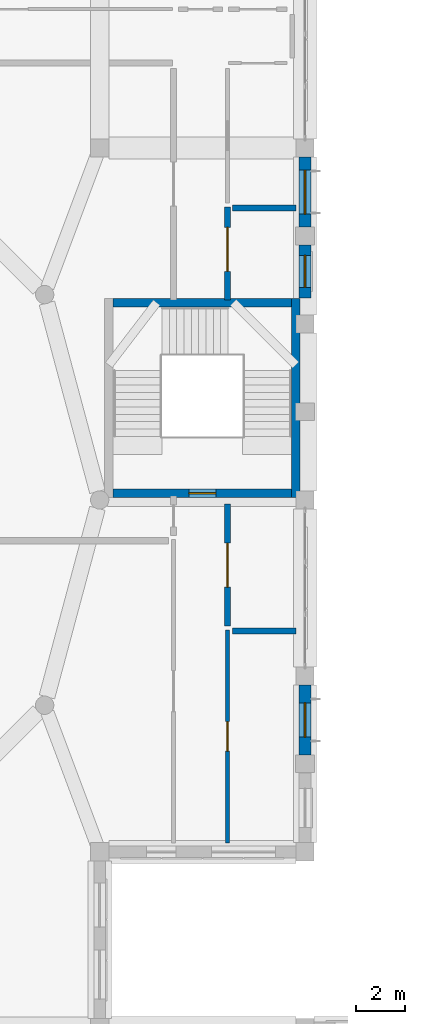
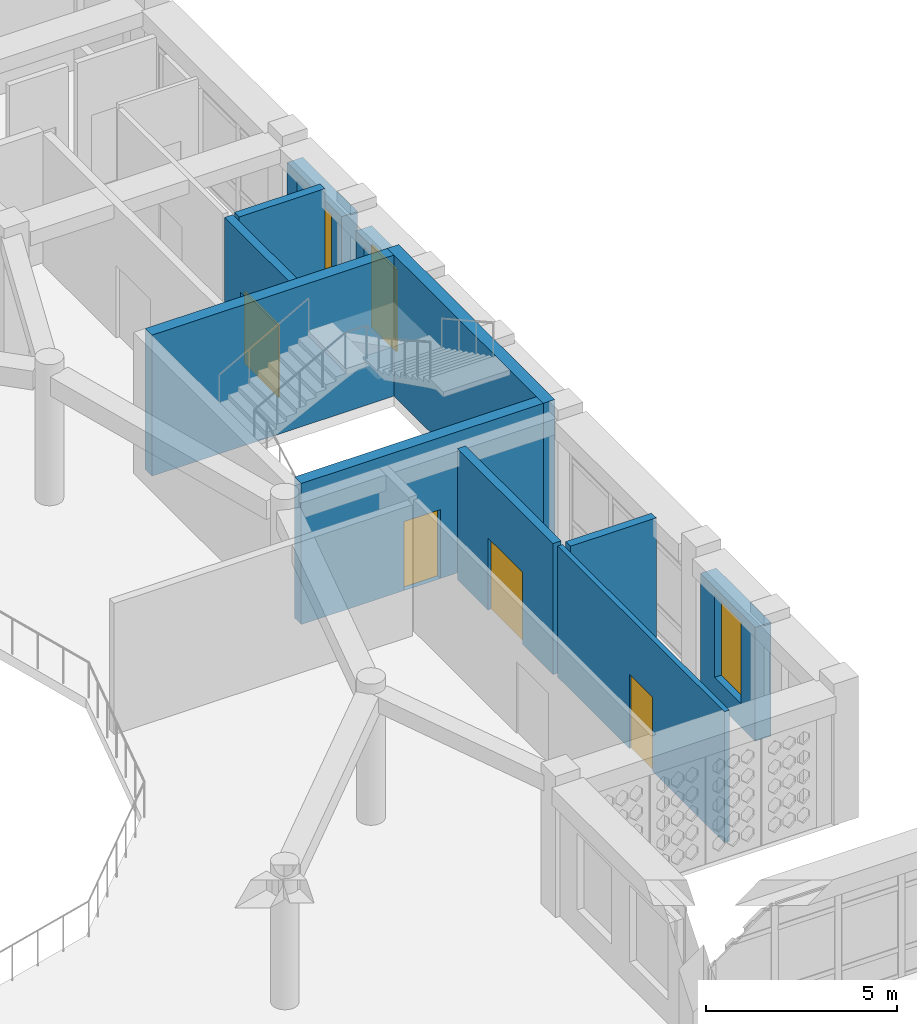
# One storey, part 64 of 111: 11 walls, 4 doors, 3 windows, 7 openings.
"""IFC4 building model written with IfcOpenShell, lengths in metres."""

from ifc_helpers import new_model, si_unit, derived_unit, direction, frame, frame_2d, origin, place, context, subcontext, project, spatial, rectangle, extrude, material, layer, layer_set, type_object, element, fill, save


model = new_model("IFC4")

# Units and contexts
model_context = context("Model", 3, precision=1e-05, world=origin(), true_north=direction((0.0, 1.0)))
body_context = subcontext(model_context, "Body", "Model", "MODEL_VIEW")
ifc_project = project(units=[si_unit("LENGTHUNIT", "METRE"), si_unit("AREAUNIT", "SQUARE_METRE"), si_unit("VOLUMEUNIT", "CUBIC_METRE"), si_unit("PLANEANGLEUNIT", "RADIAN"), si_unit("MASSUNIT", "GRAM", prefix="KILO"), derived_unit("THERMALTRANSMITTANCEUNIT", [(si_unit("POWERUNIT", "WATT"), 1), (si_unit("LENGTHUNIT", "METRE"), -2), (si_unit("THERMODYNAMICTEMPERATUREUNIT", "KELVIN"), -1)])], contexts=[model_context])

# Site, building, storey
site_placement = place(None, origin())
site = spatial("IfcSite", under=ifc_project, at=site_placement, CompositionType="ELEMENT")
building_placement = place(site_placement, origin())
building = spatial("IfcBuilding", under=site, at=building_placement, Name="Veybourne Emporium", CompositionType="ELEMENT")
storey_placement = place(building_placement, frame((0.0, 0.0, 9.89990234375)))
storey = spatial("IfcBuildingStorey", under=building, at=storey_placement, Name="L02", CompositionType="ELEMENT", Elevation=9.89990234375)

# Wall, opening, window
ifc_material_1 = material(Name="Portland Limestone Ashlar", Category="masonry")
ifc_layer_1 = layer(ifc_material_1, 0.47998046875)
ifc_layer_set_1 = layer_set([ifc_layer_1], Name="Portland Limestone Ashlar")
wall_type_1 = type_object("IfcWallType", Name="ExtWall_EW-01", PredefinedType="SOLIDWALL", material=ifc_layer_set_1)
wall_1_placement = place(storey_placement, frame((100.800048828125, 42.824951171875, 0.0), z_axis=(0.0, 0.0, 1.0), x_axis=(0.0, -1.0, 0.0)))
wall_1 = element("IfcWall", 1, at=wall_1_placement, inside=storey, type_object=wall_type_1, Name="L02 Portland stone external wall 050A", PredefinedType="SOLIDWALL", context=body_context, shape_type="SweptSolid", body=[
    extrude(rectangle(XDim=2.85498046875, YDim=0.47998046875, at=frame_2d((1.427490234375, 0.0))), origin(), (0.0, 0.0, 1.0), 3.630126953125),
])
opening_1_placement = place(wall_1_placement, frame((0.7275390625, 0.0, 0.75)))
opening_1 = element("IfcOpeningElement", 2, at=opening_1_placement, cuts=wall_1, Name="Opening W-34", PredefinedType="OPENING", context=body_context, shape_type="SweptSolid", body=[
    extrude(rectangle(XDim=1.39990234375, YDim=2.6201171875, at=frame_2d((0.699951171875, 1.31005859375))), frame((0.0, 0.260009765625, 0.0), z_axis=(0.0, -1.0, 0.0), x_axis=(1.0, 0.0, 0.0)), (0.0, 0.0, 1.0), 0.52001953125),
])
ifc_material_2 = material(Name="Low-E Triple Glazing", Category="glass")
window_type_1 = type_object("IfcWindowType", Name="Win_W-34", PartitioningType="DOUBLE_PANEL_VERTICAL", PredefinedType="WINDOW", material=ifc_material_2)
window_1_placement = place(opening_1_placement, origin())
window_1 = element("IfcWindow", 3, at=window_1_placement, inside=storey, type_object=window_type_1, Name="L02 tripartite bronze casement window W-34 (50A)", OverallHeight=2.6201171875, OverallWidth=1.39990234375, PartitioningType="DOUBLE_PANEL_VERTICAL", PredefinedType="WINDOW", context=body_context, shape_type="SweptSolid", body=[
    extrude(rectangle(XDim=1.39990234375, YDim=2.6201171875, at=frame_2d((0.699951171875, 1.31005859375))), frame((0.0, 0.030029296875, 0.0), z_axis=(0.0, -1.0, 0.0), x_axis=(1.0, 0.0, 0.0)), (0.0, 0.0, 1.0), 0.06005859375),
])
fill(opening_1, window_1)

wall_2_placement = place(storey_placement, frame((100.800048828125, 64.425048828125, 0.0), z_axis=(0.0, 0.0, 1.0), x_axis=(0.0, -1.0, 0.0)))
wall_2 = element("IfcWall", 4, at=wall_2_placement, inside=storey, type_object=wall_type_1, Name="L02 Portland stone external wall 053A", PredefinedType="SOLIDWALL", context=body_context, shape_type="SweptSolid", body=[
    extrude(rectangle(XDim=2.85498046875, YDim=0.47998046875, at=frame_2d((1.427490234375, 0.0))), origin(), (0.0, 0.0, 1.0), 3.630126953125),
])
opening_2_placement = place(wall_2_placement, frame((0.527587890625, 0.0, 0.75)))
opening_2 = element("IfcOpeningElement", 5, at=opening_2_placement, cuts=wall_2, Name="Opening W-36", PredefinedType="OPENING", context=body_context, shape_type="SweptSolid", body=[
    extrude(rectangle(XDim=1.800048828125, YDim=2.6201171875, at=frame_2d((0.89990234375, 1.31005859375))), frame((0.0, 0.260009765625, 0.0), z_axis=(0.0, -1.0, 0.0), x_axis=(1.0, 0.0, 0.0)), (0.0, 0.0, 1.0), 0.52001953125),
])
window_type_2 = type_object("IfcWindowType", Name="Win_W-36", PartitioningType="DOUBLE_PANEL_VERTICAL", PredefinedType="WINDOW", material=ifc_material_2)
window_2_placement = place(opening_2_placement, origin())
window_2 = element("IfcWindow", 6, at=window_2_placement, inside=storey, type_object=window_type_2, Name="L02 tripartite bronze casement window W-36 (53A)", OverallHeight=2.6201171875, OverallWidth=1.800048828125, PartitioningType="DOUBLE_PANEL_VERTICAL", PredefinedType="WINDOW", context=body_context, shape_type="SweptSolid", body=[
    extrude(rectangle(XDim=1.800048828125, YDim=2.6201171875, at=frame_2d((0.89990234375, 1.31005859375))), frame((0.0, 0.030029296875, 0.0), z_axis=(0.0, -1.0, 0.0), x_axis=(1.0, 0.0, 0.0)), (0.0, 0.0, 1.0), 0.06005859375),
])
fill(opening_2, window_2)

wall_3_placement = place(storey_placement, frame((100.800048828125, 60.830078125, 0.0), z_axis=(0.0, 0.0, 1.0), x_axis=(0.0, -1.0, 0.0)))
wall_3 = element("IfcWall", 7, at=wall_3_placement, inside=storey, type_object=wall_type_1, Name="L02 Portland stone external wall 053B", PredefinedType="SOLIDWALL", context=body_context, shape_type="SweptSolid", body=[
    extrude(rectangle(XDim=2.16015625, YDim=0.47998046875, at=frame_2d((1.080078125, 0.0))), origin(), (0.0, 0.0, 1.0), 3.630126953125),
])
opening_3_placement = place(wall_3_placement, frame((0.425048828125, 0.0, 0.75)))
opening_3 = element("IfcOpeningElement", 8, at=opening_3_placement, cuts=wall_3, Name="Opening W-37", PredefinedType="OPENING", context=body_context, shape_type="SweptSolid", body=[
    extrude(rectangle(XDim=1.31005859375, YDim=2.6201171875, at=frame_2d((0.655029296875, 1.31005859375))), frame((0.0, 0.260009765625, 0.0), z_axis=(0.0, -1.0, 0.0), x_axis=(1.0, 0.0, 0.0)), (0.0, 0.0, 1.0), 0.52001953125),
])
window_type_3 = type_object("IfcWindowType", Name="Win_W-37", PartitioningType="TRIPLE_PANEL_VERTICAL", PredefinedType="WINDOW", material=ifc_material_2)
window_3_placement = place(opening_3_placement, origin())
window_3 = element("IfcWindow", 9, at=window_3_placement, inside=storey, type_object=window_type_3, Name="L02 tripartite bronze casement window W-37 (53B)", OverallHeight=2.6201171875, OverallWidth=1.31005859375, PartitioningType="TRIPLE_PANEL_VERTICAL", PredefinedType="WINDOW", context=body_context, shape_type="SweptSolid", body=[
    extrude(rectangle(XDim=1.31005859375, YDim=2.6201171875, at=frame_2d((0.655029296875, 1.31005859375))), frame((0.0, 0.030029296875, 0.0), z_axis=(0.0, -1.0, 0.0), x_axis=(1.0, 0.0, 0.0)), (0.0, 0.0, 1.0), 0.06005859375),
])
fill(opening_3, window_3)

# Wall, opening, door
ifc_material_3 = material(Name="Concrete C40/50", Category="concrete")
ifc_layer_2 = layer(ifc_material_3, 0.35009765625)
ifc_layer_set_2 = layer_set([ifc_layer_2], Name="Concrete C40/50")
wall_type_2 = type_object("IfcWallType", Name="IntWall_CW-02", PredefinedType="SHEAR", material=ifc_layer_set_2)
wall_4_placement = place(storey_placement, frame((100.25, 50.675048828125, 0.0), z_axis=(0.0, 0.0, 1.0), x_axis=(-1.0, 0.0, 0.0)))
wall_4 = element("IfcWall", 10, at=wall_4_placement, inside=storey, type_object=wall_type_2, Name="Core stair ST-07 south shear wall (L02)", PredefinedType="SHEAR", context=body_context, shape_type="SweptSolid", body=[
    extrude(rectangle(XDim=7.300048828125, YDim=0.35009765625, at=frame_2d((3.64990234375, 0.0))), origin(), (0.0, 0.0, 1.0), 4.5),
])
opening_4_placement = place(wall_4_placement, frame((3.10009765625, 0.0, 0.0)))
opening_4 = element("IfcOpeningElement", 11, at=opening_4_placement, cuts=wall_4, Name="Opening FD-01", PredefinedType="OPENING", context=body_context, shape_type="SweptSolid", body=[
    extrude(rectangle(XDim=1.10009765625, YDim=2.199951171875, at=frame_2d((0.550048828125, 1.10009765625))), frame((0.0, 0.195068359375, 0.0), z_axis=(0.0, -1.0, 0.0), x_axis=(1.0, 0.0, 0.0)), (0.0, 0.0, 1.0), 0.39013671875),
])
ifc_material_4 = material(Name="Patinated Architectural Bronze", Category="bronze")
door_type_1 = type_object("IfcDoorType", Name="FireDoor_FD-01", OperationType="NOTDEFINED", PredefinedType="DOOR", material=ifc_material_4)
door_1_placement = place(opening_4_placement, origin())
door_1 = element("IfcDoor", 12, at=door_1_placement, inside=storey, type_object=door_type_1, Name="Stair ST-07 fire door (L02)", OperationType="SINGLE_SWING_RIGHT", OverallHeight=2.199951171875, OverallWidth=1.10009765625, PredefinedType="DOOR", context=body_context, shape_type="SweptSolid", body=[
    extrude(rectangle(XDim=1.10009765625, YDim=2.199951171875, at=frame_2d((0.550048828125, 1.10009765625))), frame((0.0, 0.02490234375, 0.0), z_axis=(0.0, -1.0, 0.0), x_axis=(1.0, 0.0, 0.0)), (0.0, 0.0, 1.0), 0.050048828125),
])
fill(opening_4, door_1)

# Walls
wall_5_placement = place(storey_placement, frame((92.949951171875, 58.47509765625, 0.0), z_axis=(0.0, 0.0, 1.0), x_axis=(1.0, 0.0, 0.0)))
element("IfcWall", 13, at=wall_5_placement, inside=storey, type_object=wall_type_2, Name="Core stair ST-07 north shear wall (L02)", PredefinedType="SHEAR", context=body_context, shape_type="SweptSolid", body=[
    extrude(rectangle(XDim=7.300048828125, YDim=0.35009765625, at=frame_2d((3.64990234375, 0.0))), origin(), (0.0, 0.0, 1.0), 4.5),
])
wall_6_placement = place(storey_placement, frame((100.425048828125, 50.5, 0.0), z_axis=(0.0, 0.0, 1.0), x_axis=(0.0, 1.0, 0.0)))
element("IfcWall", 14, at=wall_6_placement, inside=storey, type_object=wall_type_2, Name="Core stair ST-07 east shear wall (L02)", PredefinedType="SHEAR", context=body_context, shape_type="SweptSolid", body=[
    extrude(rectangle(XDim=8.14990234375, YDim=0.35009765625, at=frame_2d((4.074951171875, 0.0))), origin(), (0.0, 0.0, 1.0), 4.5),
])

# Wall, opening, door
ifc_material_5 = material(Name="Concrete C32/40", Category="concrete")
ifc_layer_3 = layer(ifc_material_5, 0.25)
ifc_layer_set_3 = layer_set([ifc_layer_3], Name="Concrete C32/40")
wall_type_3 = type_object("IfcWallType", Name="IntWall_FW-01", PredefinedType="SOLIDWALL", material=ifc_layer_set_3)
wall_7_placement = place(storey_placement, frame((97.6298828125, 45.239990234375, 0.0), z_axis=(0.0, 0.0, 1.0), x_axis=(0.0, 1.0, 0.0)))
wall_7 = element("IfcWall", 15, at=wall_7_placement, inside=storey, type_object=wall_type_3, Name="L02 interior partition FW-01 #086", PredefinedType="SOLIDWALL", context=body_context, shape_type="SweptSolid", body=[
    extrude(rectangle(XDim=4.996337890625, YDim=0.25, at=frame_2d((2.498046875, 0.0))), origin(), (0.0, 0.0, 1.0), 4.18017578125),
])
opening_5_placement = place(wall_7_placement, frame((1.59814453125, 0.0, 0.0)))
opening_5 = element("IfcOpeningElement", 16, at=opening_5_placement, cuts=wall_7, Name="Opening FD-03", PredefinedType="OPENING", context=body_context, shape_type="SweptSolid", body=[
    extrude(rectangle(XDim=1.800048828125, YDim=2.300048828125, at=frame_2d((0.89990234375, 1.14990234375))), frame((0.0, 0.14501953125, 0.0), z_axis=(0.0, -1.0, 0.0), x_axis=(1.0, 0.0, 0.0)), (0.0, 0.0, 1.0), 0.2900390625),
])
door_type_2 = type_object("IfcDoorType", Name="FireDoor_FD-03", OperationType="DOUBLE_DOOR_SINGLE_SWING", PredefinedType="DOOR", material=ifc_material_4)
door_2_placement = place(opening_5_placement, origin())
door_2 = element("IfcDoor", 17, at=door_2_placement, inside=storey, type_object=door_type_2, Name="L02 interior door FD-03 (PART-L02-086)", OperationType="DOUBLE_DOOR_SINGLE_SWING", OverallHeight=2.300048828125, OverallWidth=1.800048828125, PredefinedType="DOOR", context=body_context, shape_type="SweptSolid", body=[
    extrude(rectangle(XDim=1.800048828125, YDim=2.300048828125, at=frame_2d((0.89990234375, 1.14990234375))), frame((0.0, 0.02490234375, 0.0), z_axis=(0.0, -1.0, 0.0), x_axis=(1.0, 0.0, 0.0)), (0.0, 0.0, 1.0), 0.050048828125),
])
fill(opening_5, door_2)

wall_8_placement = place(storey_placement, frame((97.6298828125, 58.590087890625, 0.0), z_axis=(0.0, 0.0, 1.0), x_axis=(0.0, 1.0, 0.0)))
wall_8 = element("IfcWall", 18, at=wall_8_placement, inside=storey, type_object=wall_type_3, Name="L02 interior partition FW-01 #096", PredefinedType="SOLIDWALL", context=body_context, shape_type="SweptSolid", body=[
    extrude(rectangle(XDim=3.7998046875, YDim=0.25, at=frame_2d((1.89990234375, 0.0))), origin(), (0.0, 0.0, 1.0), 4.18017578125),
])
opening_6_placement = place(wall_8_placement, frame((1.159912109375, 0.0, 0.0)))
opening_6 = element("IfcOpeningElement", 19, at=opening_6_placement, cuts=wall_8, Name="Opening FD-03", PredefinedType="OPENING", context=body_context, shape_type="SweptSolid", body=[
    extrude(rectangle(XDim=1.800048828125, YDim=2.300048828125, at=frame_2d((0.89990234375, 1.14990234375))), frame((0.0, 0.14501953125, 0.0), z_axis=(0.0, -1.0, 0.0), x_axis=(1.0, 0.0, 0.0)), (0.0, 0.0, 1.0), 0.2900390625),
])
door_3_placement = place(opening_6_placement, origin())
door_3 = element("IfcDoor", 20, at=door_3_placement, inside=storey, type_object=door_type_2, Name="L02 interior door FD-03 (PART-L02-096)", OperationType="DOUBLE_DOOR_SINGLE_SWING", OverallHeight=2.300048828125, OverallWidth=1.800048828125, PredefinedType="DOOR", context=body_context, shape_type="SweptSolid", body=[
    extrude(rectangle(XDim=1.800048828125, YDim=2.300048828125, at=frame_2d((0.89990234375, 1.14990234375))), frame((0.0, 0.02490234375, 0.0), z_axis=(0.0, -1.0, 0.0), x_axis=(1.0, 0.0, 0.0)), (0.0, 0.0, 1.0), 0.050048828125),
])
fill(opening_6, door_3)

# Walls
for number, where, z_axis, x_axis, name in (
    (21, (97.840087890625, 45.030029296875, 0.0), (0.0, 0.0, 1.0), (1.0, 0.0, 0.0), "L02 interior partition FW-01 #200"),
    (22, (97.840087890625, 62.340087890625, 0.0), (0.0, 0.0, 1.0), (1.0, 0.0, 0.0), "L02 interior partition FW-01 #201"),
):
    element("IfcWall", number, at=place(storey_placement, frame(where, z_axis=z_axis, x_axis=x_axis)), inside=storey, type_object=wall_type_3, Name=name, PredefinedType="SOLIDWALL", context=body_context, shape_type="SweptSolid", body=[
        extrude(rectangle(XDim=2.58984375, YDim=0.25, at=frame_2d((1.294921875, 0.0))), origin(), (0.0, 0.0, 1.0), 4.18017578125),
    ])

# Wall, opening, door
ifc_material_6 = material(Name="Gypsum Acoustic Board", Category="gypsum")
ifc_layer_4 = layer(ifc_material_6, 0.14990234375)
ifc_layer_set_4 = layer_set([ifc_layer_4], Name="Gypsum Acoustic Board")
wall_type_4 = type_object("IfcWallType", Name="IntWall_IW-02", PredefinedType="PARTITIONING", material=ifc_layer_set_4)
wall_9_placement = place(storey_placement, frame((97.6298828125, 36.3701171875, 0.0), z_axis=(0.0, 0.0, 1.0), x_axis=(0.0, 1.0, 0.0)))
wall_9 = element("IfcWall", 23, at=wall_9_placement, inside=storey, type_object=wall_type_4, Name="L02 interior partition IW-02 #079", PredefinedType="PARTITIONING", context=body_context, shape_type="SweptSolid", body=[
    extrude(rectangle(XDim=8.7099609375, YDim=0.14990234375, at=frame_2d((4.35498046875, 0.0))), origin(), (0.0, 0.0, 1.0), 4.18017578125),
])
opening_7_placement = place(wall_9_placement, frame((3.7548828125, 0.0, 0.0)))
opening_7 = element("IfcOpeningElement", 24, at=opening_7_placement, cuts=wall_9, Name="Opening D-27", PredefinedType="OPENING", context=body_context, shape_type="SweptSolid", body=[
    extrude(rectangle(XDim=1.199951171875, YDim=2.3701171875, at=frame_2d((0.60009765625, 1.18505859375))), frame((0.0, 0.094970703125, 0.0), z_axis=(0.0, -1.0, 0.0), x_axis=(1.0, 0.0, 0.0)), (0.0, 0.0, 1.0), 0.18994140625),
])
ifc_material_7 = material(Name="European Oak Veneer and Bronze", Category="wood")
door_type_3 = type_object("IfcDoorType", Name="IntDoor_D-27", OperationType="NOTDEFINED", PredefinedType="DOOR", material=ifc_material_7)
door_4_placement = place(opening_7_placement, origin())
door_4 = element("IfcDoor", 25, at=door_4_placement, inside=storey, type_object=door_type_3, Name="L02 interior door D-27 (PART-L02-079)", OperationType="SINGLE_SWING_LEFT", OverallHeight=2.3701171875, OverallWidth=1.199951171875, PredefinedType="DOOR", context=body_context, shape_type="SweptSolid", body=[
    extrude(rectangle(XDim=1.199951171875, YDim=2.3701171875, at=frame_2d((0.60009765625, 1.18505859375))), frame((0.0, 0.02490234375, 0.0), z_axis=(0.0, -1.0, 0.0), x_axis=(1.0, 0.0, 0.0)), (0.0, 0.0, 1.0), 0.050048828125),
])
fill(opening_7, door_4)

save(model, "model.ifc")
